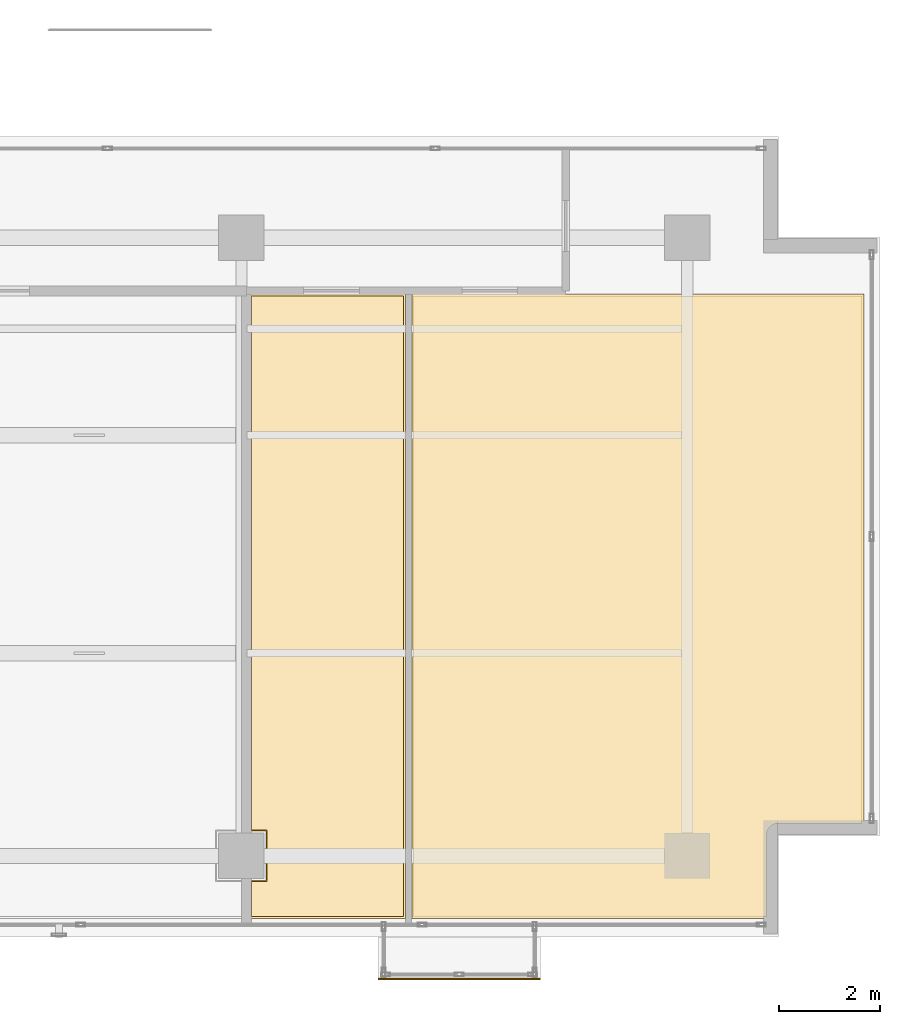
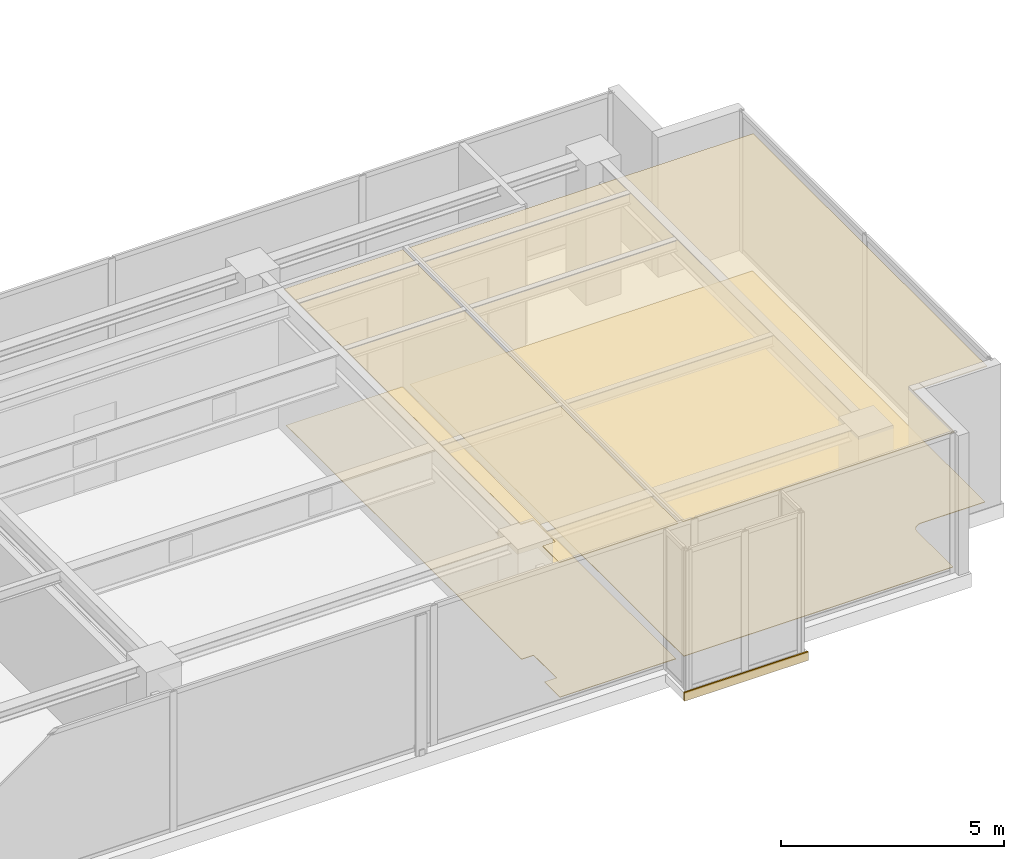
# One storey, part 31 of 32: 5 coverings.
"""IFC4 building model written with IfcOpenShell, lengths in metres."""

from ifc_helpers import new_model, si_unit, direction, frame, origin, origin_2d, place, context, subcontext, project, spatial, polyline, rectangle, outline, extrude, material, layer, layer_set, type_object, element, save


model = new_model("IFC4")

# Units and contexts
model_context = context("Model", 3, precision=1e-05, world=origin(), true_north=direction((0.0, 1.0)))
body_context = subcontext(model_context, "Body", "Model", "MODEL_VIEW")
ifc_project = project(units=[si_unit("LENGTHUNIT", "METRE"), si_unit("AREAUNIT", "SQUARE_METRE"), si_unit("VOLUMEUNIT", "CUBIC_METRE"), si_unit("PLANEANGLEUNIT", "RADIAN"), si_unit("MASSUNIT", "GRAM", prefix="KILO")], contexts=[model_context])

# Site, building, storey
site_placement = place(None, origin())
site = spatial("IfcSite", under=ifc_project, at=site_placement, CompositionType="ELEMENT")
building_placement = place(site_placement, origin())
building = spatial("IfcBuilding", under=site, at=building_placement, Name="Kolvaren Waterfront Exchange", CompositionType="ELEMENT")
storey_placement = place(building_placement, frame((0.0, 0.0, 352.0)))
storey = spatial("IfcBuildingStorey", under=building, at=storey_placement, Name="L90", CompositionType="ELEMENT", Elevation=352.0)

# Coverings
ifc_material_1 = material(Name="Mineral fibre acoustic ceiling tile")
ifc_layer_1 = layer(ifc_material_1, 0.02490234375, Name="Mineral fibre acoustic ceiling tile")
ifc_layer_set_1 = layer_set([ifc_layer_1], Name="Mineral fibre acoustic ceiling tile")
covering_type_1 = type_object("IfcCoveringType", Name="ARC-CEIL-ACOUSTIC-25", PredefinedType="CEILING", material=ifc_layer_set_1)
covering_1_placement = place(storey_placement, frame((0.0, 0.0, 3.705078125)))
element("IfcCovering", 1, at=covering_1_placement, inside=storey, type_object=covering_type_1, Name="L90 acoustic suspended ceiling 2", PredefinedType="CEILING", context=body_context, shape_type="SweptSolid", body=[
    extrude(outline(polyline([(36.965087890625, 5.68994140625), (37.2900390625, 5.68994140625), (37.2900390625, 4.7099609375), (36.965087890625, 4.7099609375), (36.965087890625, 3.965087890625), (40.034912109375, 3.965087890625), (40.034912109375, 16.284912109375), (36.965087890625, 16.284912109375), (36.965087890625, 5.68994140625)])), origin(), (0.0, 0.0, 1.0), 0.02490234375),
])
covering_2_placement = place(storey_placement, frame((0.0, 0.0, 3.705078125)))
element("IfcCovering", 2, at=covering_2_placement, inside=storey, type_object=covering_type_1, Name="L90 acoustic suspended ceiling 3", PredefinedType="CEILING", context=body_context, shape_type="SweptSolid", body=[
    extrude(outline(polyline([(49.0849609375, 5.820068359375), (49.0849609375, 16.284912109375), (40.1650390625, 16.284912109375), (40.1650390625, 3.965087890625), (47.179931640625, 3.965087890625), (47.179931640625, 5.820068359375), (49.0849609375, 5.820068359375)])), origin(), (0.0, 0.0, 1.0), 0.02490234375),
])
ifc_material_2 = material(Name="Anodised bronze fascia aluminium", Category="aluminium")
ifc_layer_2 = layer(ifc_material_2, 0.034912109375, Name="Anodised bronze fascia aluminium")
ifc_layer_set_2 = layer_set([ifc_layer_2], Name="Anodised bronze fascia aluminium")
covering_type_2 = type_object("IfcCoveringType", Name="ARC-CLAD-BRONZE-35", PredefinedType="CLADDING", material=ifc_layer_set_2)
covering_3_placement = place(storey_placement, frame((41.10009765625, 2.77001953125, -0.22021484375), z_axis=(0.0, 0.0, 1.0), x_axis=(1.0, 0.0, 0.0)))
element("IfcCovering", 3, at=covering_3_placement, inside=storey, type_object=covering_type_2, Name="L90 ribbed anodised bronze bay-box fascia", PredefinedType="CLADDING", context=body_context, shape_type="SweptSolid", body=[
    extrude(rectangle(XDim=3.199951171875, YDim=0.034912109375, at=origin_2d()), origin(), (0.0, 0.0, 1.0), 0.239990234375),
])
ifc_material_3 = material(Name="Slip-resistant porcelain tile")
ifc_layer_3 = layer(ifc_material_3, 0.014892578125, Name="Slip-resistant porcelain tile")
ifc_layer_set_3 = layer_set([ifc_layer_3], Name="Slip-resistant porcelain tile")
covering_type_3 = type_object("IfcCoveringType", Name="ARC-FLR-PORC-15", PredefinedType="FLOORING", material=ifc_layer_set_3)
covering_4_placement = place(storey_placement, origin())
element("IfcCovering", 4, at=covering_4_placement, inside=storey, type_object=covering_type_3, Name="L90 floor finish 2", PredefinedType="FLOORING", context=body_context, shape_type="SweptSolid", body=[
    extrude(outline(polyline([(37.0, 4.68994140625), (37.0, 4.0), (40.0, 4.0), (40.0, 16.25), (37.0, 16.25), (37.0, 5.7099609375), (37.31005859375, 5.7099609375), (37.31005859375, 4.68994140625), (37.0, 4.68994140625)])), origin(), (0.0, 0.0, 1.0), 0.014892578125),
])
covering_5_placement = place(storey_placement, origin())
element("IfcCovering", 5, at=covering_5_placement, inside=storey, type_object=covering_type_3, Name="L90 floor finish 3", PredefinedType="FLOORING", context=body_context, shape_type="SweptSolid", body=[
    extrude(outline(polyline([(40.199951171875, 16.25), (40.199951171875, 4.0), (47.159912109375, 4.0), (47.159912109375, 5.60009765625), (47.1611328125, 5.62353515625), (47.16455078125, 5.646728515625), (47.17041015625, 5.669677734375), (47.17822265625, 5.69189453125), (47.188232421875, 5.713134765625), (47.200439453125, 5.7333984375), (47.214599609375, 5.752197265625), (47.230224609375, 5.769775390625), (47.247802734375, 5.785400390625), (47.2666015625, 5.799560546875), (47.286865234375, 5.811767578125), (47.30810546875, 5.82177734375), (47.330322265625, 5.82958984375), (47.353271484375, 5.83544921875), (47.37646484375, 5.8388671875), (47.39990234375, 5.840087890625), (49.050048828125, 5.840087890625), (49.050048828125, 16.25), (40.199951171875, 16.25)])), origin(), (0.0, 0.0, 1.0), 0.014892578125),
])

save(model, "model.ifc")
